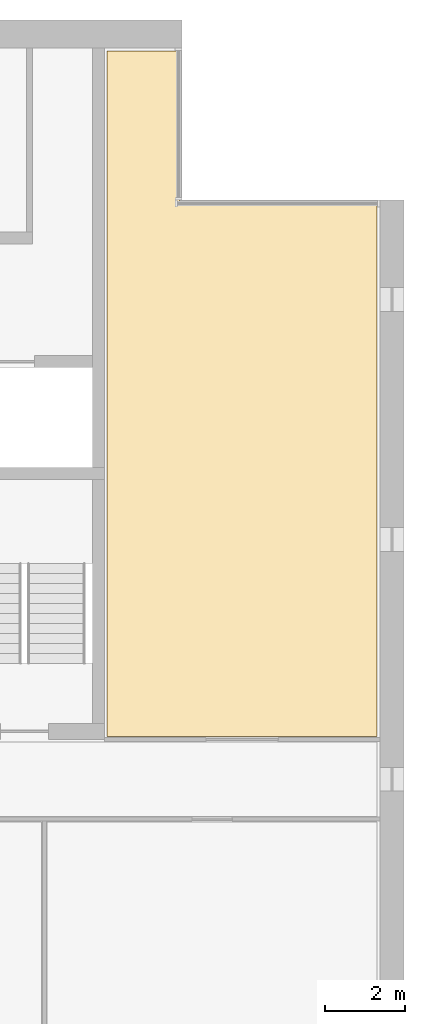
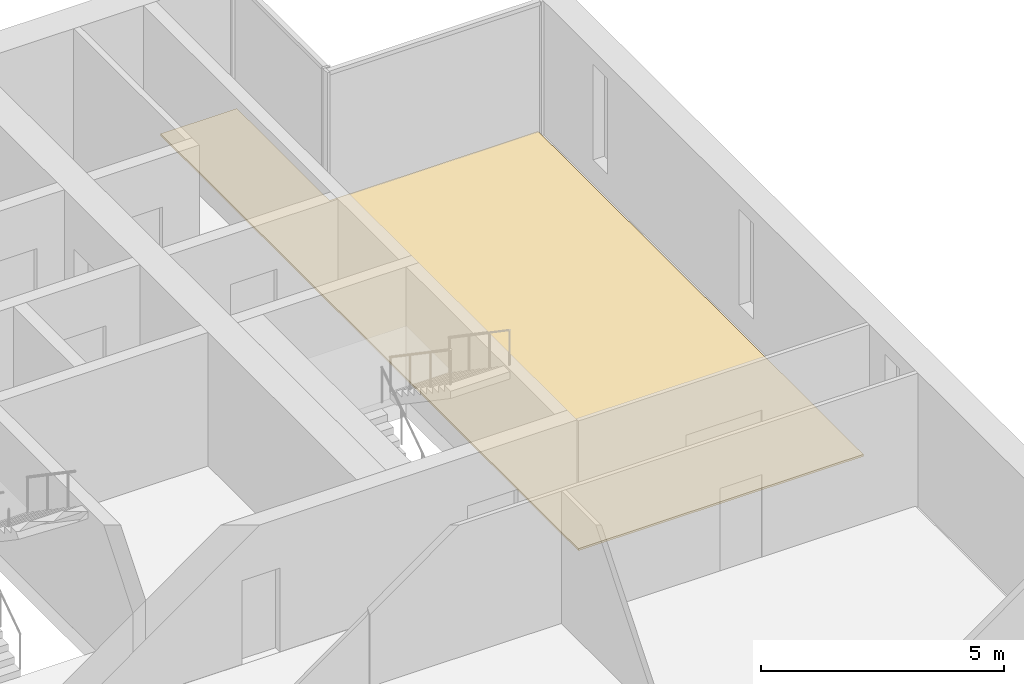
# One storey, part 17 of 17: 1 covering.
"""IFC4 building model written with IfcOpenShell, lengths in metres."""

from ifc_helpers import new_model, si_unit, direction, frame, origin, place, context, subcontext, project, spatial, polyline, outline, extrude, material, layer, layer_set, type_object, element, save


model = new_model("IFC4")

# Units and contexts
model_context = context("Model", 3, precision=1e-05, world=origin(), true_north=direction((0.0, 1.0)))
body_context = subcontext(model_context, "Body", "Model", "MODEL_VIEW")
ifc_project = project(units=[si_unit("LENGTHUNIT", "METRE"), si_unit("AREAUNIT", "SQUARE_METRE"), si_unit("VOLUMEUNIT", "CUBIC_METRE"), si_unit("PLANEANGLEUNIT", "RADIAN"), si_unit("MASSUNIT", "GRAM", prefix="KILO")], contexts=[model_context])

# Site, building, storey
site_placement = place(None, origin())
site = spatial("IfcSite", under=ifc_project, at=site_placement, CompositionType="ELEMENT")
building_placement = place(site_placement, origin())
building = spatial("IfcBuilding", under=site, at=building_placement, Name="Calvaro Tower", CompositionType="ELEMENT")
storey_placement = place(building_placement, frame((0.0, 0.0, 211.75)))
storey = spatial("IfcBuildingStorey", under=building, at=storey_placement, Name="L53", CompositionType="ELEMENT", Elevation=211.75)

# Covering
ifc_material = material(Name="Cement screed with carpet tile finish")
ifc_layer = layer(ifc_material, 0.050048828125)
ifc_layer_set = layer_set([ifc_layer], Name="Cement screed with carpet tile finish")
covering_type = type_object("IfcCoveringType", Name="Floor finish 50", PredefinedType="FLOORING", material=ifc_layer_set)
covering_placement = place(storey_placement, origin())
element("IfcCovering", 1, at=covering_placement, inside=storey, type_object=covering_type, Name="Floor finish 30.16", PredefinedType="FLOORING", context=body_context, shape_type="SweptSolid", body=[
    extrude(outline(polyline([(71.330078125, 28.070068359375), (64.570068359375, 28.070068359375), (64.570068359375, 45.22998046875), (66.3798828125, 45.22998046875), (66.3798828125, 41.429931640625), (71.330078125, 41.429931640625), (71.330078125, 28.070068359375)])), origin(), (0.0, 0.0, 1.0), 0.050048828125),
])

save(model, "model.ifc")
